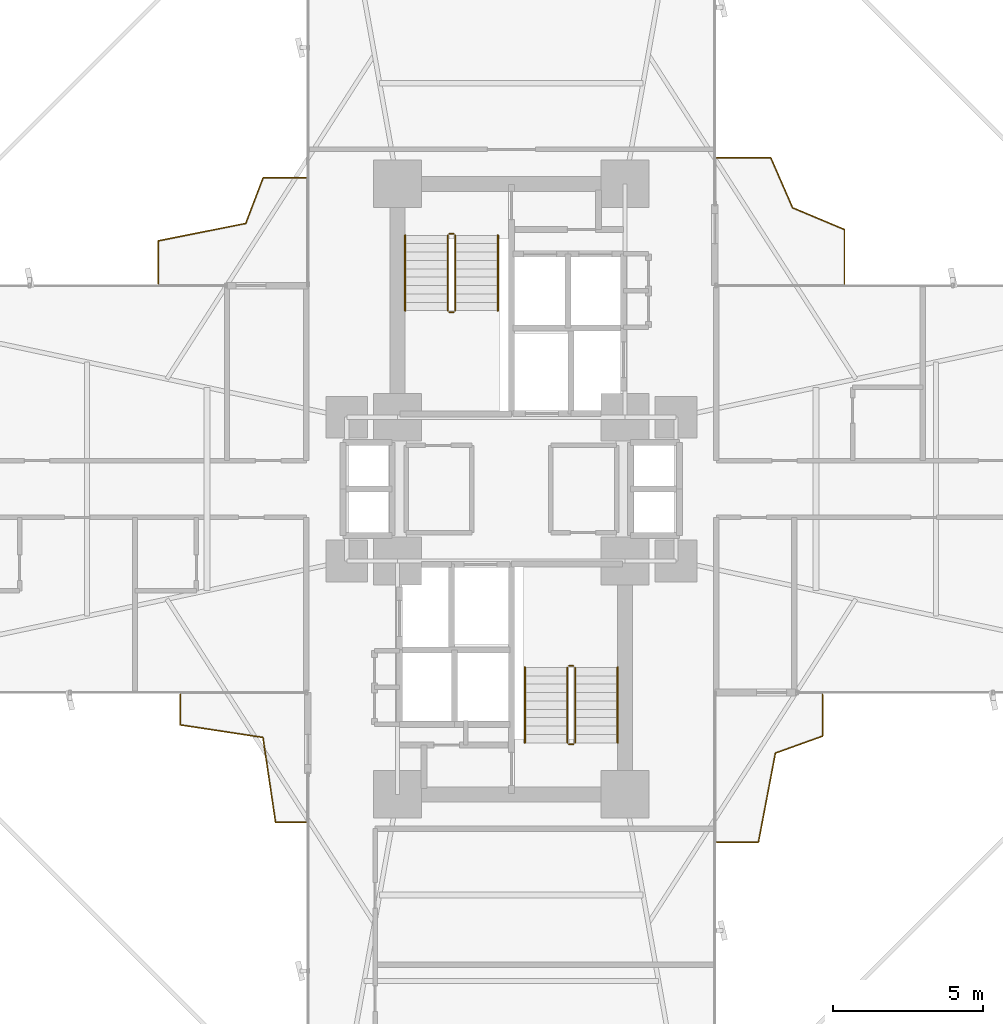
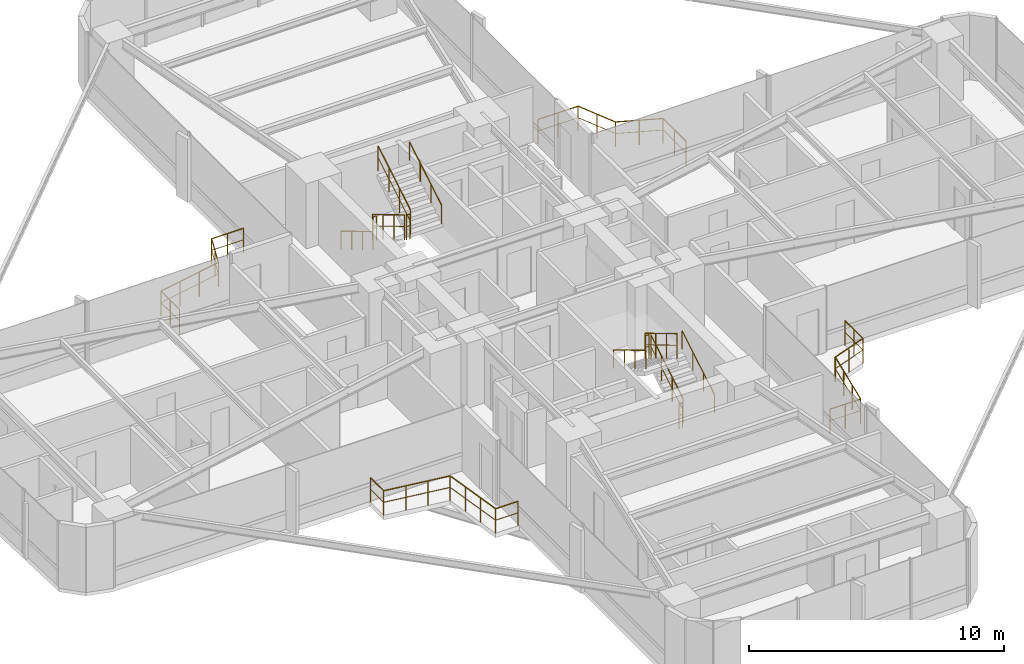
# One storey, part 25 of 25: 16 railings.
"""IFC4 building model written with IfcOpenShell, lengths in metres."""

import ifcopenshell
import ifcopenshell.guid

model = None  # the IFC model being written
_history = None  # IfcOwnerHistory: only IFC2X3 demands one
_inside = {}  # id of a spatial element -> (the spatial element, [elements in it])
_under = {}  # id of a project, library or spatial element -> (it, [spatial elements below it])
_declared = {}  # id of a project -> (the project, [libraries it declares])
_typed = {}  # id of a type object -> (the type object, [elements of that type])
_made_of = {}  # id of a material, layer set ... -> (it, [elements and type objects made of it])


def new_model(schema):
    """Start an empty IFC model of exactly this schema.

    Asked for "IFC4X3", IfcOpenShell would pick the latest addendum, in which some entities
    have other attributes; the version numbers below select the first issue.
    IFC2X3 requires an IfcOwnerHistory on every rooted entity: one is made here for all.
    """
    global model, _history
    if schema == "IFC4X3":
        model = ifcopenshell.file(schema_version=(4, 3, 0, 0))
    else:
        model = ifcopenshell.file(schema=schema)
    _inside.clear()
    _under.clear()
    _declared.clear()
    _typed.clear()
    _made_of.clear()
    _history = None
    if model.schema == "IFC2X3":
        org = make("IfcOrganization", Name="unknown")
        user = make(
            "IfcPersonAndOrganization",
            ThePerson=make("IfcPerson", FamilyName="unknown"),
            TheOrganization=org,
        )
        app = make(
            "IfcApplication",
            ApplicationDeveloper=org,
            Version="unknown",
            ApplicationFullName="unknown",
            ApplicationIdentifier="unknown",
        )
        _history = make(
            "IfcOwnerHistory",
            OwningUser=user,
            OwningApplication=app,
            ChangeAction="ADDED",
            CreationDate=0,
        )
    return model


def make(cls, **values):
    """One entity of the class cls with the attributes given. An attribute that is None is left unset."""
    return model.create_entity(
        cls, **{name: value for name, value in values.items() if value is not None}
    )


def rooted(cls, **values):
    """An entity with a GlobalId (a new one), such as an element, a storey or a relation."""
    return make(cls, GlobalId=ifcopenshell.guid.new(), OwnerHistory=_history, **values)


def si_unit(unit_type, name, prefix=None):
    """IfcSIUnit, for example si_unit("LENGTHUNIT", "METRE", prefix="MILLI")."""
    return make("IfcSIUnit", UnitType=unit_type, Prefix=prefix, Name=name)


def assignment(units):
    """IfcUnitAssignment: the units of a project."""
    return None if units is None else make("IfcUnitAssignment", Units=units)


def point(xyz):
    """IfcCartesianPoint."""
    return None if xyz is None else make("IfcCartesianPoint", Coordinates=xyz)


def direction(xyz):
    """IfcDirection."""
    return None if xyz is None else make("IfcDirection", DirectionRatios=xyz)


def frame(location, z_axis=None, x_axis=None):
    """IfcAxis2Placement3D, a coordinate frame: its origin and axes. An axis left out is left unset."""
    return make(
        "IfcAxis2Placement3D",
        Location=point(location),
        Axis=direction(z_axis),
        RefDirection=direction(x_axis),
    )


def frame_2d(location, x_axis=None):
    """IfcAxis2Placement2D, a coordinate frame in the plane: its origin and x axis."""
    return make(
        "IfcAxis2Placement2D", Location=point(location), RefDirection=direction(x_axis)
    )


def origin():
    """The frame at (0, 0, 0) with its axes left unset."""
    return frame((0.0, 0.0, 0.0))


def origin_2d():
    """The frame at (0, 0) in the plane with its x axis left unset."""
    return frame_2d((0.0, 0.0))


def place(relative_to, where):
    """IfcLocalPlacement: puts the frame where relative to a parent placement (None: the world)."""
    return make(
        "IfcLocalPlacement", PlacementRelTo=relative_to, RelativePlacement=where
    )


def context(
    kind, dimensions, precision=None, world=None, true_north=None, identifier=None
):
    """IfcGeometricRepresentationContext, for example the 3D "Model" context."""
    return make(
        "IfcGeometricRepresentationContext",
        ContextIdentifier=identifier,
        ContextType=kind,
        CoordinateSpaceDimension=dimensions,
        Precision=precision,
        WorldCoordinateSystem=world,
        TrueNorth=true_north,
    )


def subcontext(parent, identifier, kind, view, scale=None):
    """IfcGeometricRepresentationSubContext, for example "Body" below "Model"."""
    return make(
        "IfcGeometricRepresentationSubContext",
        ContextIdentifier=identifier,
        ContextType=kind,
        ParentContext=parent,
        TargetScale=scale,
        TargetView=view,
    )


def project(units=None, contexts=None):
    """IfcProject with its units and contexts."""
    return rooted(
        "IfcProject",
        Name="project",
        RepresentationContexts=contexts,
        UnitsInContext=assignment(units),
    )


def spatial(cls, under=None, at=None, **own):
    """A site, building, storey or space (cls), placed at a placement, below another one or the project."""
    s = rooted(cls, ObjectPlacement=at, **own)
    if under is not None:
        _under.setdefault(under.id(), (under, []))[1].append(s)
    return s


def profile(cls, at=None, kind="AREA", **sizes):
    """A parametric profile (cls). Its sizes go by their IFC names, for example OverallWidth=200.0."""
    return make(cls, ProfileType=kind, Position=at, **sizes)


def circle(**sizes):
    """IfcCircleProfileDef."""
    return profile("IfcCircleProfileDef", **sizes)


def extrude(swept, where, along, depth):
    """IfcExtrudedAreaSolid: the profile swept, set in the frame where, extruded along a direction by depth."""
    return make(
        "IfcExtrudedAreaSolid",
        SweptArea=swept,
        Position=where,
        ExtrudedDirection=direction(along),
        Depth=depth,
    )


def shape(context_of_items, identifier, shape_type, items):
    """IfcShapeRepresentation: the items that make up one representation, for example the "Body"."""
    return make(
        "IfcShapeRepresentation",
        ContextOfItems=context_of_items,
        RepresentationIdentifier=identifier,
        RepresentationType=shape_type,
        Items=items,
    )


def material(Name=None, Category=None):
    """IfcMaterial."""
    return make("IfcMaterial", Name=Name, Category=Category)


def made_of(thing, what):
    """Note that an element or type object is made of a material, layer set ...; save() writes the relation."""
    if what is not None:
        _made_of.setdefault(what.id(), (what, []))[1].append(thing)
    return thing


def type_object(cls, material=None, **own):
    """A type object (cls), such as IfcWallType, which elements share."""
    return made_of(rooted(cls, **own), material)


def element(
    cls,
    number,
    at=None,
    inside=None,
    cuts=None,
    type_object=None,
    material=None,
    context=None,
    identifier="Body",
    shape_type=None,
    held_by="IfcProductDefinitionShape",
    body=None,
    shapes=None,
    **own,
):
    """One element of the class cls, such as IfcWall. Its Tag is "e" and its number.

    at: its placement. inside: the storey or other place that contains it. cuts: it is an
    opening in that element (IfcRelVoidsElement). A single representation is given by context,
    identifier, shape_type and body (its items); several are given by shapes. held_by: the class
    of the entity that holds the representations. save() writes the other relations.
    """
    e = rooted(cls, Tag="e%d" % number, ObjectPlacement=at, **own)
    if body is not None:
        shapes = [shape(context, identifier, shape_type, body)]
    if shapes is not None:
        e.Representation = make(held_by, Representations=shapes)
    if inside is not None:
        _inside.setdefault(inside.id(), (inside, []))[1].append(e)
    if cuts is not None:
        rooted(
            "IfcRelVoidsElement", RelatingBuildingElement=cuts, RelatedOpeningElement=e
        )
    if type_object is not None:
        _typed.setdefault(type_object.id(), (type_object, []))[1].append(e)
    return made_of(e, material)


def aggregate(whole, parts):
    """IfcRelAggregates: a whole, such as a stair, and the parts it consists of."""
    return rooted("IfcRelAggregates", RelatingObject=whole, RelatedObjects=parts)


def save(model, path):
    """Write the relations noted so far, then the file.

    IfcRelAggregates (storeys below a building ...), IfcRelContainedInSpatialStructure (elements
    in a storey), IfcRelDefinesByType, IfcRelAssociatesMaterial and IfcRelDeclares: one each for
    every whole, place, type object, material and project.
    """
    for whole, parts in _under.values():
        aggregate(whole, parts)
    for where, things in _inside.values():
        rooted(
            "IfcRelContainedInSpatialStructure",
            RelatedElements=things,
            RelatingStructure=where,
        )
    for kind, things in _typed.values():
        rooted("IfcRelDefinesByType", RelatedObjects=things, RelatingType=kind)
    for what, things in _made_of.values():
        rooted("IfcRelAssociatesMaterial", RelatedObjects=things, RelatingMaterial=what)
    for by, libraries in _declared.values():
        rooted("IfcRelDeclares", RelatingContext=by, RelatedDefinitions=libraries)
    model.write(path)


model = new_model("IFC4")

# Units and contexts
model_context = context("Model", 3, precision=1e-05, world=origin(), true_north=direction((0.0, 1.0)))
body_context = subcontext(model_context, "Body", "Model", "MODEL_VIEW")
ifc_project = project(units=[si_unit("LENGTHUNIT", "METRE"), si_unit("AREAUNIT", "SQUARE_METRE"), si_unit("VOLUMEUNIT", "CUBIC_METRE"), si_unit("PLANEANGLEUNIT", "RADIAN"), si_unit("MASSUNIT", "GRAM", prefix="KILO")], contexts=[model_context])

# Site, building, storey
site_placement = place(None, origin())
site = spatial("IfcSite", under=ifc_project, at=site_placement, CompositionType="ELEMENT")
building_placement = place(site_placement, origin())
building = spatial("IfcBuilding", under=site, at=building_placement, Name="Sahyath Konkavel Grand Hotel", CompositionType="ELEMENT")
storey_placement = place(building_placement, frame((0.0, 0.0, 33.14990234375)))
storey = spatial("IfcBuildingStorey", under=building, at=storey_placement, Name="L08", CompositionType="ELEMENT", Elevation=33.14990234375)

# Railings
ifc_material_1 = material(Name="Anodised Bronze Aluminium", Category="aluminium")
railing_type_1 = type_object("IfcRailingType", Name="RLG-BALC-1200", PredefinedType="GUARDRAIL", material=ifc_material_1)
railing_1_placement = place(storey_placement, frame((11.133056640625, 6.860107421875, 0.0)))
element("IfcRailing", 1, at=railing_1_placement, inside=storey, type_object=railing_type_1, Name="L08 Winter-Garden Guard NE", PredefinedType="GUARDRAIL", context=body_context, shape_type="SweptSolid", body=[
    extrude(circle(Radius=0.02392578125, at=origin_2d()), frame((0.0, 0.001953125, 1.17578125), z_axis=(0.0, 1.0, 0.0), x_axis=(-1.0, 0.0, 0.0)), (0.0, 0.0, 1.0), 1.807373046875),
    extrude(circle(Radius=0.01416015625, at=origin_2d()), frame((0.0, 0.001953125, 0.6240234375), z_axis=(0.0, 1.0, 0.0), x_axis=(-1.0, 0.0, 0.0)), (0.0, 0.0, 1.0), 1.807373046875),
    extrude(circle(Radius=0.02392578125, at=origin_2d()), frame((-0.001953125, 1.81201171875, 1.17578125), z_axis=(-0.922133135147, 0.386872693614, 0.0), x_axis=(-0.386872693614, -0.922133135147, 0.0)), (0.0, 0.0, 1.0), 1.87646484375),
    extrude(circle(Radius=0.01416015625, at=origin_2d()), frame((-0.001953125, 1.81201171875, 0.6240234375), z_axis=(-0.922133135147, 0.386872693614, 0.0), x_axis=(-0.386872693614, -0.922133135147, 0.0)), (0.0, 0.0, 1.0), 1.87646484375),
    extrude(circle(Radius=0.02392578125, at=origin_2d()), frame((-1.73486328125, 2.540771484375, 1.17578125), z_axis=(-0.39980510987, 0.916600171352, 0.0), x_axis=(-0.916600171352, -0.39980510987, 0.0)), (0.0, 0.0, 1.0), 1.815673828125),
    extrude(circle(Radius=0.01416015625, at=origin_2d()), frame((-1.73486328125, 2.540771484375, 0.6240234375), z_axis=(-0.39980510987, 0.916600171352, 0.0), x_axis=(-0.916600171352, -0.39980510987, 0.0)), (0.0, 0.0, 1.0), 1.815673828125),
    extrude(circle(Radius=0.02392578125, at=origin_2d()), frame((-2.463623046875, 4.206787109375, 1.17578125), z_axis=(-1.0, 0.0, 0.0), x_axis=(0.0, -1.0, 0.0)), (0.0, 0.0, 1.0), 1.807373046875),
    extrude(circle(Radius=0.01416015625, at=origin_2d()), frame((-2.463623046875, 4.206787109375, 0.6240234375), z_axis=(-1.0, 0.0, 0.0), x_axis=(0.0, -1.0, 0.0)), (0.0, 0.0, 1.0), 1.807373046875),
    extrude(circle(Radius=0.02099609375, at=origin_2d()), origin(), (0.0, 0.0, 1.0), 1.15185546875),
    extrude(circle(Radius=0.02099609375, at=origin_2d()), frame((0.0, 0.90576171875, 0.0)), (0.0, 0.0, 1.0), 1.15185546875),
    extrude(circle(Radius=0.02099609375, at=origin_2d()), frame((0.0, 1.811279296875, 0.0)), (0.0, 0.0, 1.0), 1.15185546875),
    extrude(circle(Radius=0.02099609375, at=origin_2d()), frame((-0.8671875, 2.175048828125, 0.0)), (0.0, 0.0, 1.0), 1.15185546875),
    extrude(circle(Radius=0.02099609375, at=origin_2d()), frame((-1.734130859375, 2.538818359375, 0.0)), (0.0, 0.0, 1.0), 1.15185546875),
    extrude(circle(Radius=0.02099609375, at=origin_2d()), frame((-2.097900390625, 3.372802734375, 0.0)), (0.0, 0.0, 1.0), 1.15185546875),
    extrude(circle(Radius=0.02099609375, at=origin_2d()), frame((-2.461669921875, 4.206787109375, 0.0)), (0.0, 0.0, 1.0), 1.15185546875),
    extrude(circle(Radius=0.02099609375, at=origin_2d()), frame((-3.3671875, 4.206787109375, 0.0)), (0.0, 0.0, 1.0), 1.15185546875),
    extrude(circle(Radius=0.02099609375, at=origin_2d()), frame((-4.27294921875, 4.206787109375, 0.0)), (0.0, 0.0, 1.0), 1.15185546875),
])
railing_2_placement = place(storey_placement, frame((-6.860107421875, 10.40087890625, 0.0)))
element("IfcRailing", 2, at=railing_2_placement, inside=storey, type_object=railing_type_1, Name="L08 Winter-Garden Guard NW", PredefinedType="GUARDRAIL", context=body_context, shape_type="SweptSolid", body=[
    extrude(circle(Radius=0.02392578125, at=origin_2d()), frame((-0.001953125, 0.0, 1.17578125), z_axis=(-1.0, 0.0, 0.0), x_axis=(0.0, -1.0, 0.0)), (0.0, 0.0, 1.0), 1.4306640625),
    extrude(circle(Radius=0.01416015625, at=origin_2d()), frame((-0.001953125, 0.0, 0.6240234375), z_axis=(-1.0, 0.0, 0.0), x_axis=(0.0, -1.0, 0.0)), (0.0, 0.0, 1.0), 1.4306640625),
    extrude(circle(Radius=0.02392578125, at=origin_2d()), frame((-1.435302734375, -0.001953125, 1.17578125), z_axis=(-0.356200613411, -0.934409504984, 0.0), x_axis=(0.934409504984, -0.356200613411, 0.0)), (0.0, 0.0, 1.0), 1.6279296875),
    extrude(circle(Radius=0.01416015625, at=origin_2d()), frame((-1.435302734375, -0.001953125, 0.6240234375), z_axis=(-0.356200613411, -0.934409504984, 0.0), x_axis=(0.934409504984, -0.356200613411, 0.0)), (0.0, 0.0, 1.0), 1.6279296875),
    extrude(circle(Radius=0.02392578125, at=origin_2d()), frame((-2.017822265625, -1.525390625, 1.17578125), z_axis=(-0.980794335486, -0.195044793518, 0.0), x_axis=(0.195044793518, -0.980794335486, 0.0)), (0.0, 0.0, 1.0), 2.976318359375),
    extrude(circle(Radius=0.01416015625, at=origin_2d()), frame((-2.017822265625, -1.525390625, 0.6240234375), z_axis=(-0.980794335486, -0.195044793518, 0.0), x_axis=(0.195044793518, -0.980794335486, 0.0)), (0.0, 0.0, 1.0), 2.976318359375),
    extrude(circle(Radius=0.02392578125, at=origin_2d()), frame((-4.93896484375, -2.108154296875, 1.17578125), z_axis=(0.0, -1.0, 0.0), x_axis=(1.0, 0.0, 0.0)), (0.0, 0.0, 1.0), 1.4306640625),
    extrude(circle(Radius=0.01416015625, at=origin_2d()), frame((-4.93896484375, -2.108154296875, 0.6240234375), z_axis=(0.0, -1.0, 0.0), x_axis=(1.0, 0.0, 0.0)), (0.0, 0.0, 1.0), 1.4306640625),
    extrude(circle(Radius=0.02099609375, at=origin_2d()), origin(), (0.0, 0.0, 1.0), 1.15185546875),
    extrude(circle(Radius=0.02099609375, at=origin_2d()), frame((-0.71728515625, 0.0, 0.0)), (0.0, 0.0, 1.0), 1.15185546875),
    extrude(circle(Radius=0.02099609375, at=origin_2d()), frame((-1.4345703125, 0.0, 0.0)), (0.0, 0.0, 1.0), 1.15185546875),
    extrude(circle(Radius=0.02099609375, at=origin_2d()), frame((-1.72509765625, -0.762451171875, 0.0)), (0.0, 0.0, 1.0), 1.15185546875),
    extrude(circle(Radius=0.02099609375, at=origin_2d()), frame((-2.015869140625, -1.52490234375, 0.0)), (0.0, 0.0, 1.0), 1.15185546875),
    extrude(circle(Radius=0.02099609375, at=origin_2d()), frame((-2.990234375, -1.71875, 0.0)), (0.0, 0.0, 1.0), 1.15185546875),
    extrude(circle(Radius=0.02099609375, at=origin_2d()), frame((-3.964599609375, -1.912353515625, 0.0)), (0.0, 0.0, 1.0), 1.15185546875),
    extrude(circle(Radius=0.02099609375, at=origin_2d()), frame((-4.93896484375, -2.106201171875, 0.0)), (0.0, 0.0, 1.0), 1.15185546875),
    extrude(circle(Radius=0.02099609375, at=origin_2d()), frame((-4.93896484375, -2.823486328125, 0.0)), (0.0, 0.0, 1.0), 1.15185546875),
    extrude(circle(Radius=0.02099609375, at=origin_2d()), frame((-4.93896484375, -3.540771484375, 0.0)), (0.0, 0.0, 1.0), 1.15185546875),
])
railing_3_placement = place(storey_placement, frame((-11.06689453125, -6.860107421875, 0.0)))
element("IfcRailing", 3, at=railing_3_placement, inside=storey, type_object=railing_type_1, Name="L08 Winter-Garden Guard SW", PredefinedType="GUARDRAIL", context=body_context, shape_type="SweptSolid", body=[
    extrude(circle(Radius=0.02392578125, at=origin_2d()), frame((0.0, -0.001953125, 1.17578125), z_axis=(0.0, -1.0, 0.0), x_axis=(1.0, 0.0, 0.0)), (0.0, 0.0, 1.0), 1.0166015625),
    extrude(circle(Radius=0.01416015625, at=origin_2d()), frame((0.0, -0.001953125, 0.6240234375), z_axis=(0.0, -1.0, 0.0), x_axis=(1.0, 0.0, 0.0)), (0.0, 0.0, 1.0), 1.0166015625),
    extrude(circle(Radius=0.02392578125, at=origin_2d()), frame((0.001953125, -1.020751953125, 1.17578125), z_axis=(0.988644499103, -0.15027326573, 0.0), x_axis=(0.15027326573, 0.988644499103, 0.0)), (0.0, 0.0, 1.0), 2.793701171875),
    extrude(circle(Radius=0.01416015625, at=origin_2d()), frame((0.001953125, -1.020751953125, 0.6240234375), z_axis=(0.988644499103, -0.15027326573, 0.0), x_axis=(0.15027326573, 0.988644499103, 0.0)), (0.0, 0.0, 1.0), 2.793701171875),
    extrude(circle(Radius=0.02392578125, at=origin_2d()), frame((2.76611328125, -1.44287109375, 1.17578125), z_axis=(0.146839153388, -0.989160382866, 0.0), x_axis=(0.989160382866, 0.146839153388, 0.0)), (0.0, 0.0, 1.0), 2.859130859375),
    extrude(circle(Radius=0.01416015625, at=origin_2d()), frame((2.76611328125, -1.44287109375, 0.6240234375), z_axis=(0.146839153388, -0.989160382866, 0.0), x_axis=(0.989160382866, 0.146839153388, 0.0)), (0.0, 0.0, 1.0), 2.859130859375),
    extrude(circle(Radius=0.02392578125, at=origin_2d()), frame((3.188232421875, -4.27294921875, 1.17578125), z_axis=(1.0, 0.0, 0.0), x_axis=(0.0, 1.0, 0.0)), (0.0, 0.0, 1.0), 1.0166015625),
    extrude(circle(Radius=0.01416015625, at=origin_2d()), frame((3.188232421875, -4.27294921875, 0.6240234375), z_axis=(1.0, 0.0, 0.0), x_axis=(0.0, 1.0, 0.0)), (0.0, 0.0, 1.0), 1.0166015625),
    extrude(circle(Radius=0.02099609375, at=origin_2d()), origin(), (0.0, 0.0, 1.0), 1.15185546875),
    extrude(circle(Radius=0.02099609375, at=origin_2d()), frame((0.0, -1.0205078125, 0.0)), (0.0, 0.0, 1.0), 1.15185546875),
    extrude(circle(Radius=0.02099609375, at=origin_2d()), frame((0.921875, -1.16064453125, 0.0)), (0.0, 0.0, 1.0), 1.15185546875),
    extrude(circle(Radius=0.02099609375, at=origin_2d()), frame((1.843994140625, -1.30078125, 0.0)), (0.0, 0.0, 1.0), 1.15185546875),
    extrude(circle(Radius=0.02099609375, at=origin_2d()), frame((2.765869140625, -1.44091796875, 0.0)), (0.0, 0.0, 1.0), 1.15185546875),
    extrude(circle(Radius=0.02099609375, at=origin_2d()), frame((2.906005859375, -2.385009765625, 0.0)), (0.0, 0.0, 1.0), 1.15185546875),
    extrude(circle(Radius=0.02099609375, at=origin_2d()), frame((3.046142578125, -3.328857421875, 0.0)), (0.0, 0.0, 1.0), 1.15185546875),
    extrude(circle(Radius=0.02099609375, at=origin_2d()), frame((3.186279296875, -4.27294921875, 0.0)), (0.0, 0.0, 1.0), 1.15185546875),
    extrude(circle(Radius=0.02099609375, at=origin_2d()), frame((4.206787109375, -4.27294921875, 0.0)), (0.0, 0.0, 1.0), 1.15185546875),
])
railing_4_placement = place(storey_placement, frame((6.860107421875, -11.799072265625, 0.0)))
element("IfcRailing", 4, at=railing_4_placement, inside=storey, type_object=railing_type_1, Name="L08 Winter-Garden Guard SE", PredefinedType="GUARDRAIL", context=body_context, shape_type="SweptSolid", body=[
    extrude(circle(Radius=0.02392578125, at=origin_2d()), frame((0.001953125, 0.0, 1.17578125), z_axis=(1.0, 0.0, 0.0), x_axis=(0.0, 1.0, 0.0)), (0.0, 0.0, 1.0), 1.393310546875),
    extrude(circle(Radius=0.01416015625, at=origin_2d()), frame((0.001953125, 0.0, 0.6240234375), z_axis=(1.0, 0.0, 0.0), x_axis=(0.0, 1.0, 0.0)), (0.0, 0.0, 1.0), 1.393310546875),
    extrude(circle(Radius=0.02392578125, at=origin_2d()), frame((1.397705078125, 0.001953125, 1.17578125), z_axis=(0.187100995032, 0.982340683092, 0.0), x_axis=(-0.982340683092, 0.187100995032, 0.0)), (0.0, 0.0, 1.0), 3.024658203125),
    extrude(circle(Radius=0.01416015625, at=origin_2d()), frame((1.397705078125, 0.001953125, 0.6240234375), z_axis=(0.187100995032, 0.982340683092, 0.0), x_axis=(-0.982340683092, 0.187100995032, 0.0)), (0.0, 0.0, 1.0), 3.024658203125),
    extrude(circle(Radius=0.02392578125, at=origin_2d()), frame((1.9658203125, 2.975830078125, 1.17578125), z_axis=(0.941084135302, 0.338172515565, 0.0), x_axis=(-0.338172515565, 0.941084135302, 0.0)), (0.0, 0.0, 1.0), 1.671630859375),
    extrude(circle(Radius=0.01416015625, at=origin_2d()), frame((1.9658203125, 2.975830078125, 0.6240234375), z_axis=(0.941084135302, 0.338172515565, 0.0), x_axis=(-0.338172515565, 0.941084135302, 0.0)), (0.0, 0.0, 1.0), 1.671630859375),
    extrude(circle(Radius=0.02392578125, at=origin_2d()), frame((3.540771484375, 3.543701171875, 1.17578125), z_axis=(0.0, 1.0, 0.0), x_axis=(-1.0, 0.0, 0.0)), (0.0, 0.0, 1.0), 1.393310546875),
    extrude(circle(Radius=0.01416015625, at=origin_2d()), frame((3.540771484375, 3.543701171875, 0.6240234375), z_axis=(0.0, 1.0, 0.0), x_axis=(-1.0, 0.0, 0.0)), (0.0, 0.0, 1.0), 1.393310546875),
    extrude(circle(Radius=0.02099609375, at=origin_2d()), origin(), (0.0, 0.0, 1.0), 1.15185546875),
    extrude(circle(Radius=0.02099609375, at=origin_2d()), frame((0.69873046875, 0.0, 0.0)), (0.0, 0.0, 1.0), 1.15185546875),
    extrude(circle(Radius=0.02099609375, at=origin_2d()), frame((1.397216796875, 0.0, 0.0)), (0.0, 0.0, 1.0), 1.15185546875),
    extrude(circle(Radius=0.02099609375, at=origin_2d()), frame((1.586181640625, 0.99169921875, 0.0)), (0.0, 0.0, 1.0), 1.15185546875),
    extrude(circle(Radius=0.02099609375, at=origin_2d()), frame((1.77490234375, 1.9833984375, 0.0)), (0.0, 0.0, 1.0), 1.15185546875),
    extrude(circle(Radius=0.02099609375, at=origin_2d()), frame((1.9638671875, 2.97509765625, 0.0)), (0.0, 0.0, 1.0), 1.15185546875),
    extrude(circle(Radius=0.02099609375, at=origin_2d()), frame((2.75244140625, 3.25830078125, 0.0)), (0.0, 0.0, 1.0), 1.15185546875),
    extrude(circle(Radius=0.02099609375, at=origin_2d()), frame((3.540771484375, 3.541748046875, 0.0)), (0.0, 0.0, 1.0), 1.15185546875),
    extrude(circle(Radius=0.02099609375, at=origin_2d()), frame((3.540771484375, 4.240234375, 0.0)), (0.0, 0.0, 1.0), 1.15185546875),
    extrude(circle(Radius=0.02099609375, at=origin_2d()), frame((3.540771484375, 4.93896484375, 0.0)), (0.0, 0.0, 1.0), 1.15185546875),
])
ifc_material_2 = material(Name="Steel E350", Category="steel")
railing_type_2 = type_object("IfcRailingType", Name="RLG-STAIR-GRD", PredefinedType="GUARDRAIL", material=ifc_material_2)
railing_5_placement = place(storey_placement, frame((-2.1298828125, 8.47998046875, 0.16748046875)))
element("IfcRailing", 5, at=railing_5_placement, inside=storey, type_object=railing_type_2, Name="L08 ST-1 stair guard 1", PredefinedType="GUARDRAIL", context=body_context, shape_type="SweptSolid", body=[
    extrude(circle(Radius=0.02392578125, at=origin_2d()), frame((0.0, -0.001708984375, 1.177001953125), z_axis=(0.0, -0.858159760407, 0.513382728203), x_axis=(1.0, 0.0, 0.0)), (0.0, 0.0, 1.0), 2.9326171875),
    extrude(circle(Radius=0.01416015625, at=origin_2d()), frame((0.0, -0.001708984375, 0.625), z_axis=(0.0, -0.858159760407, 0.513382728203), x_axis=(1.0, 0.0, 0.0)), (0.0, 0.0, 1.0), 2.9326171875),
    extrude(circle(Radius=0.02099609375, at=origin_2d()), origin(), (0.0, 0.0, 1.0), 1.15185546875),
    extrude(circle(Radius=0.02099609375, at=origin_2d()), frame((0.0, -0.840087890625, 0.50244140625)), (0.0, 0.0, 1.0), 1.15185546875),
    extrude(circle(Radius=0.02099609375, at=origin_2d()), frame((0.0, -1.679931640625, 1.005126953125)), (0.0, 0.0, 1.0), 1.15185546875),
    extrude(circle(Radius=0.02099609375, at=origin_2d()), frame((0.0, -2.52001953125, 1.507568359375)), (0.0, 0.0, 1.0), 1.15185546875),
])
railing_6_placement = place(storey_placement, frame((-2.080078125, 5.909912109375, 1.675048828125)))
element("IfcRailing", 6, at=railing_6_placement, inside=storey, type_object=railing_type_2, Name="L08 ST-1 stair guard 2", PredefinedType="GUARDRAIL", context=body_context, shape_type="SweptSolid", body=[
    extrude(circle(Radius=0.02392578125, at=origin_2d()), frame((0.001953125, 0.0, 1.17578125), z_axis=(1.0, 0.0, 0.0), x_axis=(0.0, 1.0, 0.0)), (0.0, 0.0, 1.0), 0.15625),
    extrude(circle(Radius=0.01416015625, at=origin_2d()), frame((0.001953125, 0.0, 0.6240234375), z_axis=(1.0, 0.0, 0.0), x_axis=(0.0, 1.0, 0.0)), (0.0, 0.0, 1.0), 0.15625),
    extrude(circle(Radius=0.02099609375, at=origin_2d()), origin(), (0.0, 0.0, 1.0), 1.15185546875),
    extrude(circle(Radius=0.02099609375, at=origin_2d()), frame((0.16015625, 0.0, 0.0)), (0.0, 0.0, 1.0), 1.15185546875),
])
railing_7_placement = place(storey_placement, frame((-1.8701171875, 5.9599609375, 1.842529296875)))
element("IfcRailing", 7, at=railing_7_placement, inside=storey, type_object=railing_type_2, Name="L08 ST-1 stair guard 3", PredefinedType="GUARDRAIL", context=body_context, shape_type="SweptSolid", body=[
    extrude(circle(Radius=0.02392578125, at=origin_2d()), frame((0.0, 0.001708984375, 1.177001953125), z_axis=(0.0, 0.858159760407, 0.513382728203), x_axis=(-1.0, 0.0, 0.0)), (0.0, 0.0, 1.0), 2.9326171875),
    extrude(circle(Radius=0.01416015625, at=origin_2d()), frame((0.0, 0.001708984375, 0.625), z_axis=(0.0, 0.858159760407, 0.513382728203), x_axis=(-1.0, 0.0, 0.0)), (0.0, 0.0, 1.0), 2.9326171875),
    extrude(circle(Radius=0.02099609375, at=origin_2d()), origin(), (0.0, 0.0, 1.0), 1.15185546875),
    extrude(circle(Radius=0.02099609375, at=origin_2d()), frame((0.0, 0.840087890625, 0.50244140625)), (0.0, 0.0, 1.0), 1.15185546875),
    extrude(circle(Radius=0.02099609375, at=origin_2d()), frame((0.0, 1.679931640625, 1.005126953125)), (0.0, 0.0, 1.0), 1.15185546875),
    extrude(circle(Radius=0.02099609375, at=origin_2d()), frame((0.0, 2.52001953125, 1.507568359375)), (0.0, 0.0, 1.0), 1.15185546875),
])
railing_8_placement = place(storey_placement, frame((-2.080078125, 8.530029296875, 0.0)))
element("IfcRailing", 8, at=railing_8_placement, inside=storey, type_object=railing_type_2, Name="L08 ST-1 stair guard 4", PredefinedType="GUARDRAIL", context=body_context, shape_type="SweptSolid", body=[
    extrude(circle(Radius=0.02392578125, at=origin_2d()), frame((0.001953125, 0.0, 1.17578125), z_axis=(1.0, 0.0, 0.0), x_axis=(0.0, 1.0, 0.0)), (0.0, 0.0, 1.0), 0.15625),
    extrude(circle(Radius=0.01416015625, at=origin_2d()), frame((0.001953125, 0.0, 0.6240234375), z_axis=(1.0, 0.0, 0.0), x_axis=(0.0, 1.0, 0.0)), (0.0, 0.0, 1.0), 0.15625),
    extrude(circle(Radius=0.02099609375, at=origin_2d()), origin(), (0.0, 0.0, 1.0), 1.15185546875),
    extrude(circle(Radius=0.02099609375, at=origin_2d()), frame((0.16015625, 0.0, 0.0)), (0.0, 0.0, 1.0), 1.15185546875),
])
railing_9_placement = place(storey_placement, frame((2.1298828125, -8.47998046875, 0.16748046875)))
element("IfcRailing", 9, at=railing_9_placement, inside=storey, type_object=railing_type_2, Name="L08 ST-2 stair guard 1", PredefinedType="GUARDRAIL", context=body_context, shape_type="SweptSolid", body=[
    extrude(circle(Radius=0.02392578125, at=origin_2d()), frame((0.0, 0.001708984375, 1.177001953125), z_axis=(0.0, 0.858159760407, 0.513382728203), x_axis=(-1.0, 0.0, 0.0)), (0.0, 0.0, 1.0), 2.9326171875),
    extrude(circle(Radius=0.01416015625, at=origin_2d()), frame((0.0, 0.001708984375, 0.625), z_axis=(0.0, 0.858159760407, 0.513382728203), x_axis=(-1.0, 0.0, 0.0)), (0.0, 0.0, 1.0), 2.9326171875),
    extrude(circle(Radius=0.02099609375, at=origin_2d()), origin(), (0.0, 0.0, 1.0), 1.15185546875),
    extrude(circle(Radius=0.02099609375, at=origin_2d()), frame((0.0, 0.840087890625, 0.50244140625)), (0.0, 0.0, 1.0), 1.15185546875),
    extrude(circle(Radius=0.02099609375, at=origin_2d()), frame((0.0, 1.679931640625, 1.005126953125)), (0.0, 0.0, 1.0), 1.15185546875),
    extrude(circle(Radius=0.02099609375, at=origin_2d()), frame((0.0, 2.52001953125, 1.507568359375)), (0.0, 0.0, 1.0), 1.15185546875),
])
railing_10_placement = place(storey_placement, frame((2.080078125, -5.909912109375, 1.675048828125)))
element("IfcRailing", 10, at=railing_10_placement, inside=storey, type_object=railing_type_2, Name="L08 ST-2 stair guard 2", PredefinedType="GUARDRAIL", context=body_context, shape_type="SweptSolid", body=[
    extrude(circle(Radius=0.02392578125, at=origin_2d()), frame((-0.001953125, 0.0, 1.17578125), z_axis=(-1.0, 0.0, 0.0), x_axis=(0.0, -1.0, 0.0)), (0.0, 0.0, 1.0), 0.15625),
    extrude(circle(Radius=0.01416015625, at=origin_2d()), frame((-0.001953125, 0.0, 0.6240234375), z_axis=(-1.0, 0.0, 0.0), x_axis=(0.0, -1.0, 0.0)), (0.0, 0.0, 1.0), 0.15625),
    extrude(circle(Radius=0.02099609375, at=origin_2d()), origin(), (0.0, 0.0, 1.0), 1.15185546875),
    extrude(circle(Radius=0.02099609375, at=origin_2d()), frame((-0.16015625, 0.0, 0.0)), (0.0, 0.0, 1.0), 1.15185546875),
])
railing_11_placement = place(storey_placement, frame((1.8701171875, -5.9599609375, 1.842529296875)))
element("IfcRailing", 11, at=railing_11_placement, inside=storey, type_object=railing_type_2, Name="L08 ST-2 stair guard 3", PredefinedType="GUARDRAIL", context=body_context, shape_type="SweptSolid", body=[
    extrude(circle(Radius=0.02392578125, at=origin_2d()), frame((0.0, -0.001708984375, 1.177001953125), z_axis=(0.0, -0.858159760407, 0.513382728203), x_axis=(1.0, 0.0, 0.0)), (0.0, 0.0, 1.0), 2.9326171875),
    extrude(circle(Radius=0.01416015625, at=origin_2d()), frame((0.0, -0.001708984375, 0.625), z_axis=(0.0, -0.858159760407, 0.513382728203), x_axis=(1.0, 0.0, 0.0)), (0.0, 0.0, 1.0), 2.9326171875),
    extrude(circle(Radius=0.02099609375, at=origin_2d()), origin(), (0.0, 0.0, 1.0), 1.15185546875),
    extrude(circle(Radius=0.02099609375, at=origin_2d()), frame((0.0, -0.840087890625, 0.50244140625)), (0.0, 0.0, 1.0), 1.15185546875),
    extrude(circle(Radius=0.02099609375, at=origin_2d()), frame((0.0, -1.679931640625, 1.005126953125)), (0.0, 0.0, 1.0), 1.15185546875),
    extrude(circle(Radius=0.02099609375, at=origin_2d()), frame((0.0, -2.52001953125, 1.507568359375)), (0.0, 0.0, 1.0), 1.15185546875),
])
railing_12_placement = place(storey_placement, frame((2.080078125, -8.530029296875, 0.0)))
element("IfcRailing", 12, at=railing_12_placement, inside=storey, type_object=railing_type_2, Name="L08 ST-2 stair guard 4", PredefinedType="GUARDRAIL", context=body_context, shape_type="SweptSolid", body=[
    extrude(circle(Radius=0.02392578125, at=origin_2d()), frame((-0.001953125, 0.0, 1.17578125), z_axis=(-1.0, 0.0, 0.0), x_axis=(0.0, -1.0, 0.0)), (0.0, 0.0, 1.0), 0.15625),
    extrude(circle(Radius=0.01416015625, at=origin_2d()), frame((-0.001953125, 0.0, 0.6240234375), z_axis=(-1.0, 0.0, 0.0), x_axis=(0.0, -1.0, 0.0)), (0.0, 0.0, 1.0), 0.15625),
    extrude(circle(Radius=0.02099609375, at=origin_2d()), origin(), (0.0, 0.0, 1.0), 1.15185546875),
    extrude(circle(Radius=0.02099609375, at=origin_2d()), frame((-0.16015625, 0.0, 0.0)), (0.0, 0.0, 1.0), 1.15185546875),
])
railing_type_3 = type_object("IfcRailingType", Name="RLG-STAIR-HND", PredefinedType="HANDRAIL", material=ifc_material_1)
railing_13_placement = place(storey_placement, frame((-3.550048828125, 8.47998046875, 0.16748046875)))
element("IfcRailing", 13, at=railing_13_placement, inside=storey, type_object=railing_type_3, Name="L08 ST-1 stair handrail 1", PredefinedType="HANDRAIL", context=body_context, shape_type="SweptSolid", body=[
    extrude(circle(Radius=0.02392578125, at=origin_2d()), frame((0.0, -0.001708984375, 0.876953125), z_axis=(0.0, -0.858159760407, 0.513382728203), x_axis=(1.0, 0.0, 0.0)), (0.0, 0.0, 1.0), 2.9326171875),
    extrude(circle(Radius=0.02099609375, at=origin_2d()), origin(), (0.0, 0.0, 1.0), 0.851806640625),
    extrude(circle(Radius=0.02099609375, at=origin_2d()), frame((0.0, -0.840087890625, 0.50244140625)), (0.0, 0.0, 1.0), 0.851806640625),
    extrude(circle(Radius=0.02099609375, at=origin_2d()), frame((0.0, -1.679931640625, 1.005126953125)), (0.0, 0.0, 1.0), 0.851806640625),
    extrude(circle(Radius=0.02099609375, at=origin_2d()), frame((0.0, -2.52001953125, 1.507568359375)), (0.0, 0.0, 1.0), 0.851806640625),
])
for number, where, name in (
    (14, (-0.449951171875, 5.9599609375, 1.842529296875), "L08 ST-1 stair handrail 2"),
    (15, (3.550048828125, -8.47998046875, 0.16748046875), "L08 ST-2 stair handrail 1"),
):
    element("IfcRailing", number, at=place(storey_placement, frame(where)), inside=storey, type_object=railing_type_3, Name=name, PredefinedType="HANDRAIL", context=body_context, shape_type="SweptSolid", body=[
        extrude(circle(Radius=0.02392578125, at=origin_2d()), frame((0.0, 0.001708984375, 0.876953125), z_axis=(0.0, 0.858159760407, 0.513382728203), x_axis=(-1.0, 0.0, 0.0)), (0.0, 0.0, 1.0), 2.9326171875),
        extrude(circle(Radius=0.02099609375, at=origin_2d()), origin(), (0.0, 0.0, 1.0), 0.851806640625),
        extrude(circle(Radius=0.02099609375, at=origin_2d()), frame((0.0, 0.840087890625, 0.50244140625)), (0.0, 0.0, 1.0), 0.851806640625),
        extrude(circle(Radius=0.02099609375, at=origin_2d()), frame((0.0, 1.679931640625, 1.005126953125)), (0.0, 0.0, 1.0), 0.851806640625),
        extrude(circle(Radius=0.02099609375, at=origin_2d()), frame((0.0, 2.52001953125, 1.507568359375)), (0.0, 0.0, 1.0), 0.851806640625),
    ])
railing_14_placement = place(storey_placement, frame((0.449951171875, -5.9599609375, 1.842529296875)))
element("IfcRailing", 16, at=railing_14_placement, inside=storey, type_object=railing_type_3, Name="L08 ST-2 stair handrail 2", PredefinedType="HANDRAIL", context=body_context, shape_type="SweptSolid", body=[
    extrude(circle(Radius=0.02392578125, at=origin_2d()), frame((0.0, -0.001708984375, 0.876953125), z_axis=(0.0, -0.858159760407, 0.513382728203), x_axis=(1.0, 0.0, 0.0)), (0.0, 0.0, 1.0), 2.9326171875),
    extrude(circle(Radius=0.02099609375, at=origin_2d()), origin(), (0.0, 0.0, 1.0), 0.851806640625),
    extrude(circle(Radius=0.02099609375, at=origin_2d()), frame((0.0, -0.840087890625, 0.50244140625)), (0.0, 0.0, 1.0), 0.851806640625),
    extrude(circle(Radius=0.02099609375, at=origin_2d()), frame((0.0, -1.679931640625, 1.005126953125)), (0.0, 0.0, 1.0), 0.851806640625),
    extrude(circle(Radius=0.02099609375, at=origin_2d()), frame((0.0, -2.52001953125, 1.507568359375)), (0.0, 0.0, 1.0), 0.851806640625),
])

save(model, "model.ifc")
